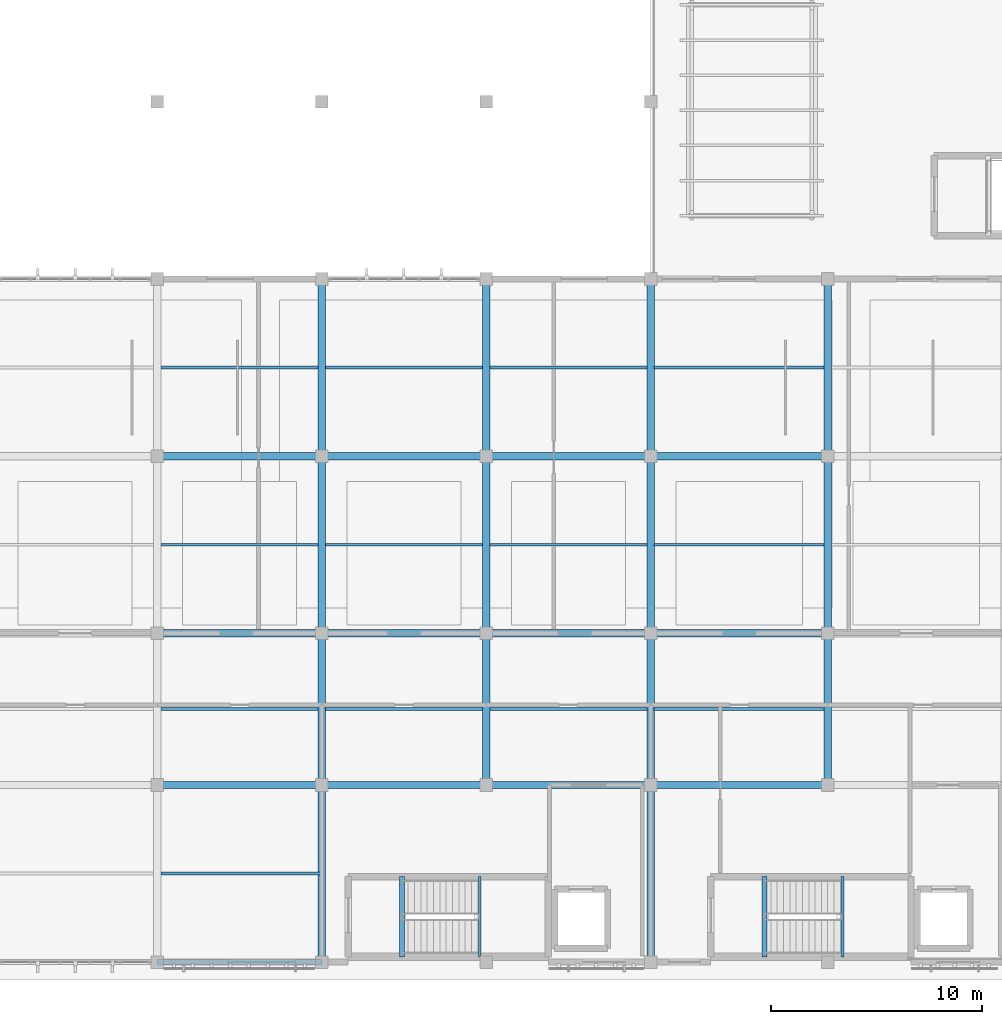
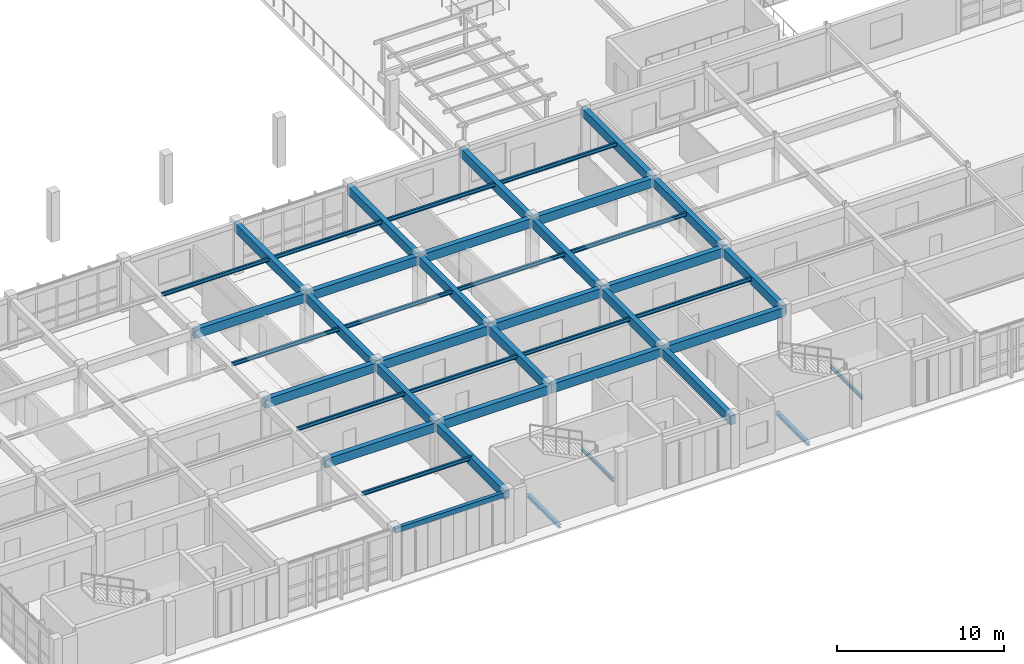
# One storey, part 9 of 67: 44 beams.
"""IFC4 building model written with IfcOpenShell, lengths in metres."""

import ifcopenshell
import ifcopenshell.guid

model = None  # the IFC model being written
_history = None  # IfcOwnerHistory: only IFC2X3 demands one
_inside = {}  # id of a spatial element -> (the spatial element, [elements in it])
_under = {}  # id of a project, library or spatial element -> (it, [spatial elements below it])
_declared = {}  # id of a project -> (the project, [libraries it declares])
_typed = {}  # id of a type object -> (the type object, [elements of that type])
_made_of = {}  # id of a material, layer set ... -> (it, [elements and type objects made of it])


def new_model(schema):
    """Start an empty IFC model of exactly this schema.

    Asked for "IFC4X3", IfcOpenShell would pick the latest addendum, in which some entities
    have other attributes; the version numbers below select the first issue.
    IFC2X3 requires an IfcOwnerHistory on every rooted entity: one is made here for all.
    """
    global model, _history
    if schema == "IFC4X3":
        model = ifcopenshell.file(schema_version=(4, 3, 0, 0))
    else:
        model = ifcopenshell.file(schema=schema)
    _inside.clear()
    _under.clear()
    _declared.clear()
    _typed.clear()
    _made_of.clear()
    _history = None
    if model.schema == "IFC2X3":
        org = make("IfcOrganization", Name="unknown")
        user = make(
            "IfcPersonAndOrganization",
            ThePerson=make("IfcPerson", FamilyName="unknown"),
            TheOrganization=org,
        )
        app = make(
            "IfcApplication",
            ApplicationDeveloper=org,
            Version="unknown",
            ApplicationFullName="unknown",
            ApplicationIdentifier="unknown",
        )
        _history = make(
            "IfcOwnerHistory",
            OwningUser=user,
            OwningApplication=app,
            ChangeAction="ADDED",
            CreationDate=0,
        )
    return model


def make(cls, **values):
    """One entity of the class cls with the attributes given. An attribute that is None is left unset."""
    return model.create_entity(
        cls, **{name: value for name, value in values.items() if value is not None}
    )


def rooted(cls, **values):
    """An entity with a GlobalId (a new one), such as an element, a storey or a relation."""
    return make(cls, GlobalId=ifcopenshell.guid.new(), OwnerHistory=_history, **values)


def si_unit(unit_type, name, prefix=None):
    """IfcSIUnit, for example si_unit("LENGTHUNIT", "METRE", prefix="MILLI")."""
    return make("IfcSIUnit", UnitType=unit_type, Prefix=prefix, Name=name)


def assignment(units):
    """IfcUnitAssignment: the units of a project."""
    return None if units is None else make("IfcUnitAssignment", Units=units)


def point(xyz):
    """IfcCartesianPoint."""
    return None if xyz is None else make("IfcCartesianPoint", Coordinates=xyz)


def direction(xyz):
    """IfcDirection."""
    return None if xyz is None else make("IfcDirection", DirectionRatios=xyz)


def frame(location, z_axis=None, x_axis=None):
    """IfcAxis2Placement3D, a coordinate frame: its origin and axes. An axis left out is left unset."""
    return make(
        "IfcAxis2Placement3D",
        Location=point(location),
        Axis=direction(z_axis),
        RefDirection=direction(x_axis),
    )


def frame_2d(location, x_axis=None):
    """IfcAxis2Placement2D, a coordinate frame in the plane: its origin and x axis."""
    return make(
        "IfcAxis2Placement2D", Location=point(location), RefDirection=direction(x_axis)
    )


def origin():
    """The frame at (0, 0, 0) with its axes left unset."""
    return frame((0.0, 0.0, 0.0))


def origin_2d():
    """The frame at (0, 0) in the plane with its x axis left unset."""
    return frame_2d((0.0, 0.0))


def place(relative_to, where):
    """IfcLocalPlacement: puts the frame where relative to a parent placement (None: the world)."""
    return make(
        "IfcLocalPlacement", PlacementRelTo=relative_to, RelativePlacement=where
    )


def context(
    kind, dimensions, precision=None, world=None, true_north=None, identifier=None
):
    """IfcGeometricRepresentationContext, for example the 3D "Model" context."""
    return make(
        "IfcGeometricRepresentationContext",
        ContextIdentifier=identifier,
        ContextType=kind,
        CoordinateSpaceDimension=dimensions,
        Precision=precision,
        WorldCoordinateSystem=world,
        TrueNorth=true_north,
    )


def subcontext(parent, identifier, kind, view, scale=None):
    """IfcGeometricRepresentationSubContext, for example "Body" below "Model"."""
    return make(
        "IfcGeometricRepresentationSubContext",
        ContextIdentifier=identifier,
        ContextType=kind,
        ParentContext=parent,
        TargetScale=scale,
        TargetView=view,
    )


def project(units=None, contexts=None):
    """IfcProject with its units and contexts."""
    return rooted(
        "IfcProject",
        Name="project",
        RepresentationContexts=contexts,
        UnitsInContext=assignment(units),
    )


def spatial(cls, under=None, at=None, **own):
    """A site, building, storey or space (cls), placed at a placement, below another one or the project."""
    s = rooted(cls, ObjectPlacement=at, **own)
    if under is not None:
        _under.setdefault(under.id(), (under, []))[1].append(s)
    return s


def profile(cls, at=None, kind="AREA", **sizes):
    """A parametric profile (cls). Its sizes go by their IFC names, for example OverallWidth=200.0."""
    return make(cls, ProfileType=kind, Position=at, **sizes)


def rectangle(**sizes):
    """IfcRectangleProfileDef."""
    return profile("IfcRectangleProfileDef", **sizes)


def hollow_rectangle(**sizes):
    """IfcRectangleHollowProfileDef."""
    return profile("IfcRectangleHollowProfileDef", **sizes)


def i_section(**sizes):
    """IfcIShapeProfileDef."""
    return profile("IfcIShapeProfileDef", **sizes)


def extrude(swept, where, along, depth):
    """IfcExtrudedAreaSolid: the profile swept, set in the frame where, extruded along a direction by depth."""
    return make(
        "IfcExtrudedAreaSolid",
        SweptArea=swept,
        Position=where,
        ExtrudedDirection=direction(along),
        Depth=depth,
    )


def shape(context_of_items, identifier, shape_type, items):
    """IfcShapeRepresentation: the items that make up one representation, for example the "Body"."""
    return make(
        "IfcShapeRepresentation",
        ContextOfItems=context_of_items,
        RepresentationIdentifier=identifier,
        RepresentationType=shape_type,
        Items=items,
    )


def material(Name=None, Category=None):
    """IfcMaterial."""
    return make("IfcMaterial", Name=Name, Category=Category)


def material_profile(
    of_material, cross_section, Name=None, Category=None, Priority=None
):
    """IfcMaterialProfile: a cross section and its material."""
    return make(
        "IfcMaterialProfile",
        Name=Name,
        Material=of_material,
        Profile=cross_section,
        Priority=Priority,
        Category=Category,
    )


def profile_set(profiles, Name=None, composite=None):
    """IfcMaterialProfileSet."""
    return make(
        "IfcMaterialProfileSet",
        Name=Name,
        MaterialProfiles=profiles,
        CompositeProfile=composite,
    )


def made_of(thing, what):
    """Note that an element or type object is made of a material, layer set ...; save() writes the relation."""
    if what is not None:
        _made_of.setdefault(what.id(), (what, []))[1].append(thing)
    return thing


def type_object(cls, material=None, **own):
    """A type object (cls), such as IfcWallType, which elements share."""
    return made_of(rooted(cls, **own), material)


def element(
    cls,
    number,
    at=None,
    inside=None,
    cuts=None,
    type_object=None,
    material=None,
    context=None,
    identifier="Body",
    shape_type=None,
    held_by="IfcProductDefinitionShape",
    body=None,
    shapes=None,
    **own,
):
    """One element of the class cls, such as IfcWall. Its Tag is "e" and its number.

    at: its placement. inside: the storey or other place that contains it. cuts: it is an
    opening in that element (IfcRelVoidsElement). A single representation is given by context,
    identifier, shape_type and body (its items); several are given by shapes. held_by: the class
    of the entity that holds the representations. save() writes the other relations.
    """
    e = rooted(cls, Tag="e%d" % number, ObjectPlacement=at, **own)
    if body is not None:
        shapes = [shape(context, identifier, shape_type, body)]
    if shapes is not None:
        e.Representation = make(held_by, Representations=shapes)
    if inside is not None:
        _inside.setdefault(inside.id(), (inside, []))[1].append(e)
    if cuts is not None:
        rooted(
            "IfcRelVoidsElement", RelatingBuildingElement=cuts, RelatedOpeningElement=e
        )
    if type_object is not None:
        _typed.setdefault(type_object.id(), (type_object, []))[1].append(e)
    return made_of(e, material)


def aggregate(whole, parts):
    """IfcRelAggregates: a whole, such as a stair, and the parts it consists of."""
    return rooted("IfcRelAggregates", RelatingObject=whole, RelatedObjects=parts)


def save(model, path):
    """Write the relations noted so far, then the file.

    IfcRelAggregates (storeys below a building ...), IfcRelContainedInSpatialStructure (elements
    in a storey), IfcRelDefinesByType, IfcRelAssociatesMaterial and IfcRelDeclares: one each for
    every whole, place, type object, material and project.
    """
    for whole, parts in _under.values():
        aggregate(whole, parts)
    for where, things in _inside.values():
        rooted(
            "IfcRelContainedInSpatialStructure",
            RelatedElements=things,
            RelatingStructure=where,
        )
    for kind, things in _typed.values():
        rooted("IfcRelDefinesByType", RelatedObjects=things, RelatingType=kind)
    for what, things in _made_of.values():
        rooted("IfcRelAssociatesMaterial", RelatedObjects=things, RelatingMaterial=what)
    for by, libraries in _declared.values():
        rooted("IfcRelDeclares", RelatingContext=by, RelatedDefinitions=libraries)
    model.write(path)


model = new_model("IFC4")

# Units and contexts
model_context = context("Model", 3, precision=1e-05, world=origin(), true_north=direction((0.0, 1.0)))
body_context = subcontext(model_context, "Body", "Model", "MODEL_VIEW")
ifc_project = project(units=[si_unit("LENGTHUNIT", "METRE"), si_unit("AREAUNIT", "SQUARE_METRE"), si_unit("VOLUMEUNIT", "CUBIC_METRE"), si_unit("PLANEANGLEUNIT", "RADIAN"), si_unit("MASSUNIT", "GRAM", prefix="KILO")], contexts=[model_context])

# Site, building, storey
site_placement = place(None, origin())
site = spatial("IfcSite", under=ifc_project, at=site_placement, CompositionType="ELEMENT")
building_placement = place(site_placement, origin())
building = spatial("IfcBuilding", under=site, at=building_placement, Name="Tizgana Railside Sports Hall", CompositionType="ELEMENT")
storey_placement = place(building_placement, frame((0.0, 0.0, 12.0)))
storey = spatial("IfcBuildingStorey", under=building, at=storey_placement, Name="L02", CompositionType="ELEMENT", Elevation=12.0)

# Beams
ifc_material_1 = material(Name="Concrete C35/45", Category="concrete")
ifc_material_profile_1 = material_profile(ifc_material_1, rectangle(XDim=0.35009765625, YDim=0.64990234375, at=origin_2d()), Name="RCB 350x650")
ifc_profile_set_1 = profile_set([ifc_material_profile_1], Name="Concrete C35/45")
beam_type_1 = type_object("IfcBeamType", Name="Concrete Beam RCB 350x650", PredefinedType="BEAM", material=ifc_profile_set_1)
beam_1_placement = place(storey_placement, frame((39.0, 0.0, 3.31103515625), z_axis=(0.0, 1.0, 0.0), x_axis=(-1.0, 0.0, 0.0)))
element("IfcBeam", 1, at=beam_1_placement, inside=storey, type_object=beam_type_1, Name="L02 BEM-0612", PredefinedType="BEAM", context=body_context, shape_type="SweptSolid", body=[
    extrude(rectangle(XDim=0.35009765625, YDim=0.64990234375, at=origin_2d()), origin(), (0.0, 0.0, 1.0), 8.39990234375),
])
beam_2_placement = place(storey_placement, frame((39.0, 8.39990234375, 3.31103515625), z_axis=(0.0, 1.0, 0.0), x_axis=(-1.0, 0.0, 0.0)))
element("IfcBeam", 2, at=beam_2_placement, inside=storey, type_object=beam_type_1, Name="L02 BEM-0613", PredefinedType="BEAM", context=body_context, shape_type="SweptSolid", body=[
    extrude(rectangle(XDim=0.35009765625, YDim=0.64990234375, at=origin_2d()), origin(), (0.0, 0.0, 1.0), 7.2001953125),
])
for number, where, z_axis, x_axis, name in (
    (3, (39.0, 15.60009765625, 3.31103515625), (0.0, 1.0, 0.0), (-1.0, 0.0, 0.0), "L02 BEM-0614"),
    (4, (39.0, 24.0, 3.31103515625), (0.0, 1.0, 0.0), (-1.0, 0.0, 0.0), "L02 BEM-0615"),
):
    element("IfcBeam", number, at=place(storey_placement, frame(where, z_axis=z_axis, x_axis=x_axis)), inside=storey, type_object=beam_type_1, Name=name, PredefinedType="BEAM", context=body_context, shape_type="SweptSolid", body=[
        extrude(rectangle(XDim=0.35009765625, YDim=0.64990234375, at=origin_2d()), origin(), (0.0, 0.0, 1.0), 8.39990234375),
    ])
beam_3_placement = place(storey_placement, frame((46.800048828125, 8.39990234375, 3.31103515625), z_axis=(0.0, 1.0, 0.0), x_axis=(-1.0, 0.0, 0.0)))
element("IfcBeam", 5, at=beam_3_placement, inside=storey, type_object=beam_type_1, Name="L02 BEM-0616", PredefinedType="BEAM", context=body_context, shape_type="SweptSolid", body=[
    extrude(rectangle(XDim=0.35009765625, YDim=0.64990234375, at=origin_2d()), origin(), (0.0, 0.0, 1.0), 7.2001953125),
])
for number, where, z_axis, x_axis, name in (
    (6, (46.800048828125, 15.60009765625, 3.31103515625), (0.0, 1.0, 0.0), (-1.0, 0.0, 0.0), "L02 BEM-0617"),
    (7, (46.800048828125, 24.0, 3.31103515625), (0.0, 1.0, 0.0), (-1.0, 0.0, 0.0), "L02 BEM-0618"),
    (8, (54.60009765625, 0.0, 3.31103515625), (0.0, 1.0, 0.0), (-1.0, 0.0, 0.0), "L02 BEM-0619"),
):
    element("IfcBeam", number, at=place(storey_placement, frame(where, z_axis=z_axis, x_axis=x_axis)), inside=storey, type_object=beam_type_1, Name=name, PredefinedType="BEAM", context=body_context, shape_type="SweptSolid", body=[
        extrude(rectangle(XDim=0.35009765625, YDim=0.64990234375, at=origin_2d()), origin(), (0.0, 0.0, 1.0), 8.39990234375),
    ])
beam_4_placement = place(storey_placement, frame((54.60009765625, 8.39990234375, 3.31103515625), z_axis=(0.0, 1.0, 0.0), x_axis=(-1.0, 0.0, 0.0)))
element("IfcBeam", 9, at=beam_4_placement, inside=storey, type_object=beam_type_1, Name="L02 BEM-0620", PredefinedType="BEAM", context=body_context, shape_type="SweptSolid", body=[
    extrude(rectangle(XDim=0.35009765625, YDim=0.64990234375, at=origin_2d()), origin(), (0.0, 0.0, 1.0), 7.2001953125),
])
for number, where, z_axis, x_axis, name in (
    (10, (54.60009765625, 15.60009765625, 3.31103515625), (0.0, 1.0, 0.0), (-1.0, 0.0, 0.0), "L02 BEM-0621"),
    (11, (54.60009765625, 24.0, 3.31103515625), (0.0, 1.0, 0.0), (-1.0, 0.0, 0.0), "L02 BEM-0622"),
):
    element("IfcBeam", number, at=place(storey_placement, frame(where, z_axis=z_axis, x_axis=x_axis)), inside=storey, type_object=beam_type_1, Name=name, PredefinedType="BEAM", context=body_context, shape_type="SweptSolid", body=[
        extrude(rectangle(XDim=0.35009765625, YDim=0.64990234375, at=origin_2d()), origin(), (0.0, 0.0, 1.0), 8.39990234375),
    ])
beam_5_placement = place(storey_placement, frame((63.0, 8.39990234375, 3.31103515625), z_axis=(0.0, 1.0, 0.0), x_axis=(-1.0, 0.0, 0.0)))
element("IfcBeam", 12, at=beam_5_placement, inside=storey, type_object=beam_type_1, Name="L02 BEM-0623", PredefinedType="BEAM", context=body_context, shape_type="SweptSolid", body=[
    extrude(rectangle(XDim=0.35009765625, YDim=0.64990234375, at=origin_2d()), origin(), (0.0, 0.0, 1.0), 7.2001953125),
])
for number, where, z_axis, x_axis, name in (
    (13, (63.0, 15.60009765625, 3.31103515625), (0.0, 1.0, 0.0), (-1.0, 0.0, 0.0), "L02 BEM-0624"),
    (14, (63.0, 24.0, 3.31103515625), (0.0, 1.0, 0.0), (-1.0, 0.0, 0.0), "L02 BEM-0625"),
):
    element("IfcBeam", number, at=place(storey_placement, frame(where, z_axis=z_axis, x_axis=x_axis)), inside=storey, type_object=beam_type_1, Name=name, PredefinedType="BEAM", context=body_context, shape_type="SweptSolid", body=[
        extrude(rectangle(XDim=0.35009765625, YDim=0.64990234375, at=origin_2d()), origin(), (0.0, 0.0, 1.0), 8.39990234375),
    ])
for number, where, z_axis, x_axis, name in (
    (15, (31.199951171875, 8.39990234375, 3.31103515625), (1.0, 0.0, 0.0), (0.0, 1.0, 0.0), "L02 BEM-0658"),
    (16, (31.199951171875, 15.60009765625, 3.31103515625), (1.0, 0.0, 0.0), (0.0, 1.0, 0.0), "L02 BEM-0659"),
    (17, (31.199951171875, 24.0, 3.31103515625), (1.0, 0.0, 0.0), (0.0, 1.0, 0.0), "L02 BEM-0660"),
    (18, (39.0, 8.39990234375, 3.31103515625), (1.0, 0.0, 0.0), (0.0, 1.0, 0.0), "L02 BEM-0666"),
    (19, (39.0, 15.60009765625, 3.31103515625), (1.0, 0.0, 0.0), (0.0, 1.0, 0.0), "L02 BEM-0667"),
    (20, (39.0, 24.0, 3.31103515625), (1.0, 0.0, 0.0), (0.0, 1.0, 0.0), "L02 BEM-0668"),
    (21, (46.800048828125, 8.39990234375, 3.31103515625), (1.0, 0.0, 0.0), (0.0, 1.0, 0.0), "L02 BEM-0673"),
    (22, (46.800048828125, 15.60009765625, 3.31103515625), (1.0, 0.0, 0.0), (0.0, 1.0, 0.0), "L02 BEM-0674"),
    (23, (46.800048828125, 24.0, 3.31103515625), (1.0, 0.0, 0.0), (0.0, 1.0, 0.0), "L02 BEM-0675"),
):
    element("IfcBeam", number, at=place(storey_placement, frame(where, z_axis=z_axis, x_axis=x_axis)), inside=storey, type_object=beam_type_1, Name=name, PredefinedType="BEAM", context=body_context, shape_type="SweptSolid", body=[
        extrude(rectangle(XDim=0.35009765625, YDim=0.64990234375, at=origin_2d()), origin(), (0.0, 0.0, 1.0), 7.800048828125),
    ])
for number, where, z_axis, x_axis, name in (
    (24, (54.60009765625, 8.39990234375, 3.31103515625), (1.0, 0.0, 0.0), (0.0, 1.0, 0.0), "L02 BEM-0680"),
    (25, (54.60009765625, 15.60009765625, 3.31103515625), (1.0, 0.0, 0.0), (0.0, 1.0, 0.0), "L02 BEM-0681"),
    (26, (54.60009765625, 24.0, 3.31103515625), (1.0, 0.0, 0.0), (0.0, 1.0, 0.0), "L02 BEM-0682"),
):
    element("IfcBeam", number, at=place(storey_placement, frame(where, z_axis=z_axis, x_axis=x_axis)), inside=storey, type_object=beam_type_1, Name=name, PredefinedType="BEAM", context=body_context, shape_type="SweptSolid", body=[
        extrude(rectangle(XDim=0.35009765625, YDim=0.64990234375, at=origin_2d()), origin(), (0.0, 0.0, 1.0), 8.39990234375),
    ])
ifc_material_2 = material(Name="Steel S355J2", Category="steel")
ifc_material_profile_2 = material_profile(ifc_material_2, i_section(OverallWidth=0.1298828125, OverallDepth=0.27001953125, WebThickness=0.006591796875, FlangeThickness=0.01025390625, FilletRadius=0.014892578125, at=origin_2d()), Name="IPE 270")
ifc_profile_set_2 = profile_set([ifc_material_profile_2], Name="Steel S355J2")
beam_type_2 = type_object("IfcBeamType", Name="Stair Mid-Landing Header IPE 270", PredefinedType="JOIST", material=ifc_profile_set_2)
for number, where, z_axis, x_axis, name in (
    (27, (46.5, 0.25, 1.613037109375), (0.0, 1.0, 0.0), (-1.0, 0.0, 0.0), "L02 C2 Mid Header 1"),
    (28, (63.699951171875, 0.25, 1.613037109375), (0.0, 1.0, 0.0), (-1.0, 0.0, 0.0), "L02 C3 Mid Header 1"),
):
    element("IfcBeam", number, at=place(storey_placement, frame(where, z_axis=z_axis, x_axis=x_axis)), inside=storey, type_object=beam_type_2, Name=name, PredefinedType="JOIST", context=body_context, shape_type="SweptSolid", body=[
        extrude(i_section(OverallWidth=0.1298828125, OverallDepth=0.27001953125, WebThickness=0.006591796875, FlangeThickness=0.01025390625, FilletRadius=0.014892578125, at=origin_2d()), origin(), (0.0, 0.0, 1.0), 3.800048828125),
    ])
ifc_material_profile_3 = material_profile(ifc_material_2, i_section(OverallWidth=0.239990234375, OverallDepth=0.239990234375, WebThickness=0.010009765625, FlangeThickness=0.01708984375, FilletRadius=0.02099609375, at=origin_2d()), Name="HEB 240")
ifc_profile_set_3 = profile_set([ifc_material_profile_3], Name="Steel S355J2")
beam_type_3 = type_object("IfcBeamType", Name="Steel Beam HEB 240", PredefinedType="BEAM", material=ifc_profile_set_3)
for number, where, z_axis, x_axis, name in (
    (29, (42.800048828125, 0.25, -0.48193359375), (0.0, 1.0, 0.0), (-1.0, 0.0, 0.0), "L02 C2 Landing Header"),
    (30, (60.0, 0.25, -0.48193359375), (0.0, 1.0, 0.0), (-1.0, 0.0, 0.0), "L02 C3 Landing Header"),
):
    element("IfcBeam", number, at=place(storey_placement, frame(where, z_axis=z_axis, x_axis=x_axis)), inside=storey, type_object=beam_type_3, Name=name, PredefinedType="BEAM", context=body_context, shape_type="SweptSolid", body=[
        extrude(i_section(OverallWidth=0.239990234375, OverallDepth=0.239990234375, WebThickness=0.010009765625, FlangeThickness=0.01708984375, FilletRadius=0.02099609375, at=origin_2d()), origin(), (0.0, 0.0, 1.0), 3.800048828125),
    ])
ifc_material_profile_4 = material_profile(ifc_material_2, i_section(OverallWidth=0.1298828125, OverallDepth=0.27001953125, WebThickness=0.006591796875, FlangeThickness=0.01025390625, FilletRadius=0.014892578125, at=origin_2d()), Name="IPE 270")
ifc_profile_set_4 = profile_set([ifc_material_profile_4], Name="Steel S355J2")
beam_type_4 = type_object("IfcBeamType", Name="Steel Joist IPE 270", PredefinedType="JOIST", material=ifc_profile_set_4)
beam_6_placement = place(storey_placement, frame((31.3701171875, 4.199951171875, 3.5009765625), z_axis=(1.0, 0.0, 0.0), x_axis=(0.0, 1.0, 0.0)))
element("IfcBeam", 31, at=beam_6_placement, inside=storey, type_object=beam_type_4, Name="L02 BEM-0662", PredefinedType="JOIST", context=body_context, shape_type="SweptSolid", body=[
    extrude(i_section(OverallWidth=0.1298828125, OverallDepth=0.27001953125, WebThickness=0.006591796875, FlangeThickness=0.01025390625, FilletRadius=0.014892578125, at=origin_2d()), origin(), (0.0, 0.0, 1.0), 7.6298828125),
])
for number, where, z_axis, x_axis, name in (
    (32, (31.3701171875, 12.0, 3.5009765625), (1.0, 0.0, 0.0), (0.0, 1.0, 0.0), "L02 BEM-0663"),
    (33, (31.3701171875, 19.800048828125, 3.5009765625), (1.0, 0.0, 0.0), (0.0, 1.0, 0.0), "L02 BEM-0664"),
    (34, (31.3701171875, 28.199951171875, 3.5009765625), (1.0, 0.0, 0.0), (0.0, 1.0, 0.0), "L02 BEM-0665"),
    (35, (39.169921875, 12.0, 3.5009765625), (1.0, 0.0, 0.0), (0.0, 1.0, 0.0), "L02 BEM-0670"),
    (36, (39.169921875, 19.800048828125, 3.5009765625), (1.0, 0.0, 0.0), (0.0, 1.0, 0.0), "L02 BEM-0671"),
    (37, (39.169921875, 28.199951171875, 3.5009765625), (1.0, 0.0, 0.0), (0.0, 1.0, 0.0), "L02 BEM-0672"),
    (38, (46.969970703125, 12.0, 3.5009765625), (1.0, 0.0, 0.0), (0.0, 1.0, 0.0), "L02 BEM-0677"),
    (39, (46.969970703125, 19.800048828125, 3.5009765625), (1.0, 0.0, 0.0), (0.0, 1.0, 0.0), "L02 BEM-0678"),
    (40, (46.969970703125, 28.199951171875, 3.5009765625), (1.0, 0.0, 0.0), (0.0, 1.0, 0.0), "L02 BEM-0679"),
):
    element("IfcBeam", number, at=place(storey_placement, frame(where, z_axis=z_axis, x_axis=x_axis)), inside=storey, type_object=beam_type_4, Name=name, PredefinedType="JOIST", context=body_context, shape_type="SweptSolid", body=[
        extrude(i_section(OverallWidth=0.1298828125, OverallDepth=0.27001953125, WebThickness=0.006591796875, FlangeThickness=0.01025390625, FilletRadius=0.014892578125, at=origin_2d()), origin(), (0.0, 0.0, 1.0), 7.4599609375),
    ])
for number, where, z_axis, x_axis, name in (
    (41, (54.77001953125, 12.0, 3.5009765625), (1.0, 0.0, 0.0), (0.0, 1.0, 0.0), "L02 BEM-0684"),
    (42, (54.77001953125, 19.800048828125, 3.5009765625), (1.0, 0.0, 0.0), (0.0, 1.0, 0.0), "L02 BEM-0685"),
    (43, (54.77001953125, 28.199951171875, 3.5009765625), (1.0, 0.0, 0.0), (0.0, 1.0, 0.0), "L02 BEM-0686"),
):
    element("IfcBeam", number, at=place(storey_placement, frame(where, z_axis=z_axis, x_axis=x_axis)), inside=storey, type_object=beam_type_4, Name=name, PredefinedType="JOIST", context=body_context, shape_type="SweptSolid", body=[
        extrude(i_section(OverallWidth=0.1298828125, OverallDepth=0.27001953125, WebThickness=0.006591796875, FlangeThickness=0.01025390625, FilletRadius=0.014892578125, at=origin_2d()), origin(), (0.0, 0.0, 1.0), 8.06005859375),
    ])
ifc_material_profile_5 = material_profile(ifc_material_2, hollow_rectangle(XDim=0.25, YDim=0.35009765625, WallThickness=0.011962890625, at=origin_2d()), Name="RHS 350x250x12")
ifc_profile_set_5 = profile_set([ifc_material_profile_5], Name="Steel S355J2")
beam_type_5 = type_object("IfcBeamType", Name="Steel Spandrel RHS 350x250x12", PredefinedType="SPANDREL", material=ifc_profile_set_5)
beam_7_placement = place(storey_placement, frame((31.199951171875, 0.0, 3.4609375), z_axis=(1.0, 0.0, 0.0), x_axis=(0.0, 1.0, 0.0)))
element("IfcBeam", 44, at=beam_7_placement, inside=storey, type_object=beam_type_5, Name="L02 BEM-0657", PredefinedType="SPANDREL", context=body_context, shape_type="SweptSolid", body=[
    extrude(hollow_rectangle(XDim=0.25, YDim=0.35009765625, WallThickness=0.011962890625, at=origin_2d()), origin(), (0.0, 0.0, 1.0), 7.800048828125),
])

save(model, "model.ifc")
